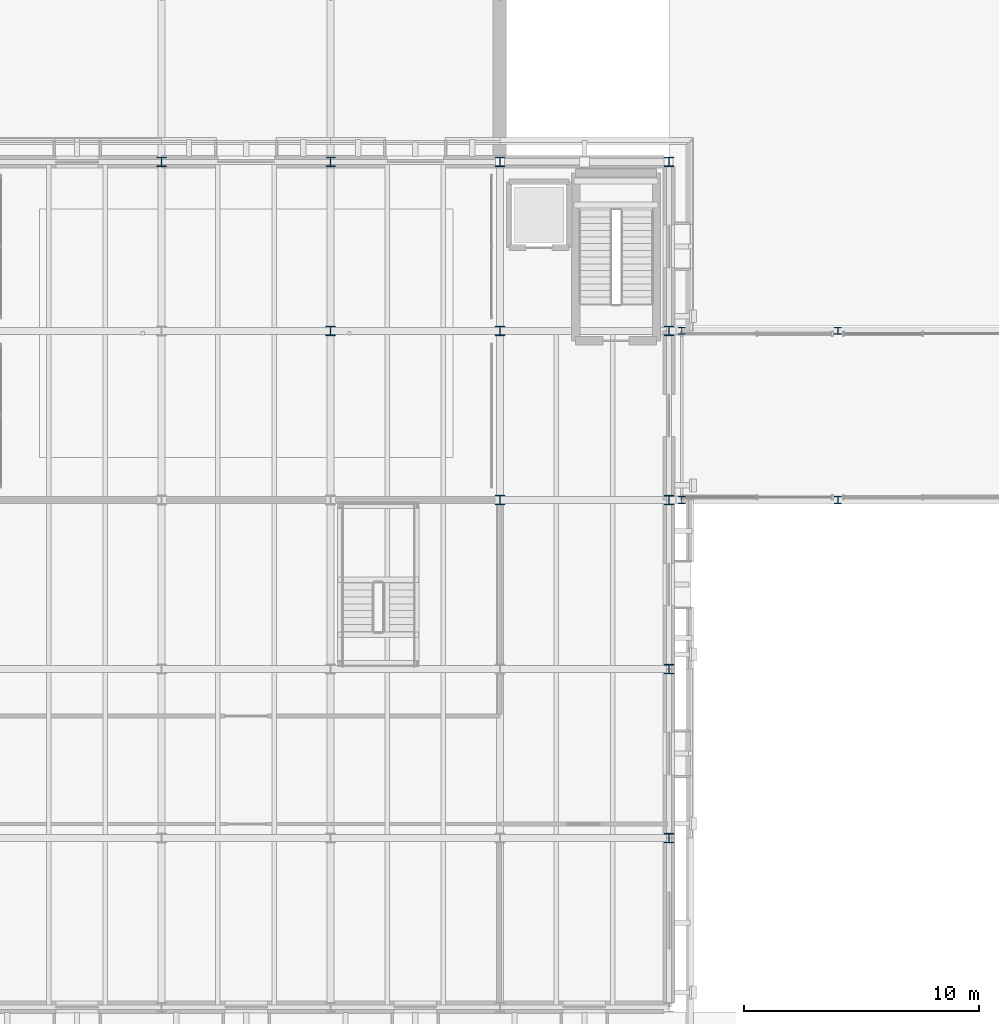
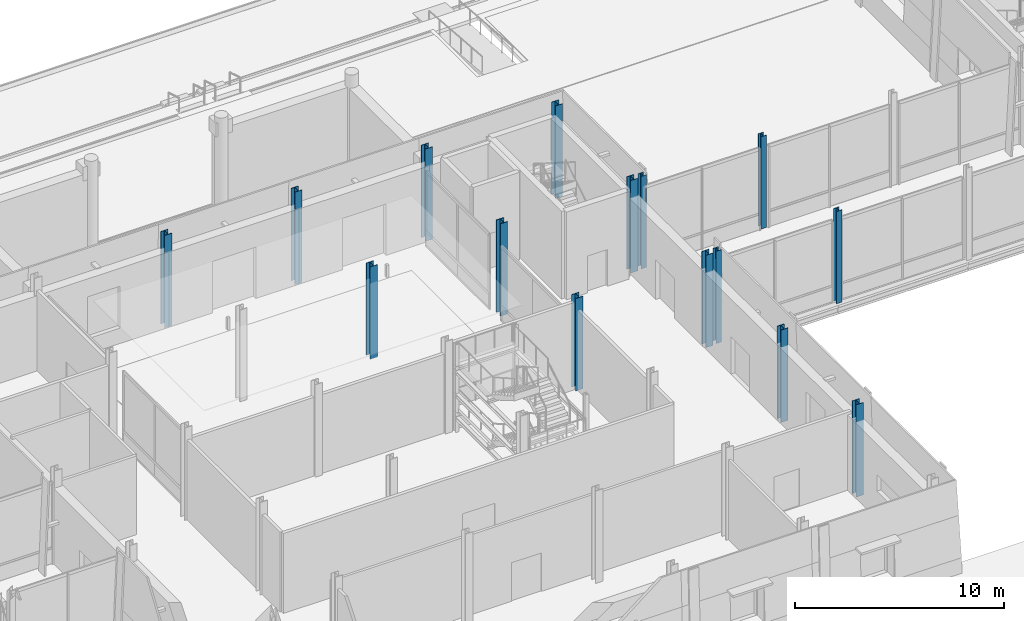
# One storey, part 14 of 120: 15 columns.
"""IFC4 building model written with IfcOpenShell, lengths in metres."""

from ifc_helpers import new_model, si_unit, direction, frame, origin, origin_2d, place, context, subcontext, project, spatial, i_section, extrude, material, material_profile, profile_set, type_object, element, save


model = new_model("IFC4")

# Units and contexts
model_context = context("Model", 3, precision=1e-05, world=origin(), true_north=direction((0.0, 1.0)))
body_context = subcontext(model_context, "Body", "Model", "MODEL_VIEW")
ifc_project = project(units=[si_unit("LENGTHUNIT", "METRE"), si_unit("AREAUNIT", "SQUARE_METRE"), si_unit("VOLUMEUNIT", "CUBIC_METRE"), si_unit("PLANEANGLEUNIT", "RADIAN"), si_unit("MASSUNIT", "GRAM", prefix="KILO")], contexts=[model_context])

# Site, building, storey
site_placement = place(None, origin())
site = spatial("IfcSite", under=ifc_project, at=site_placement, CompositionType="ELEMENT")
building_placement = place(site_placement, origin())
building = spatial("IfcBuilding", under=site, at=building_placement, Name="Narikvali Park Central Library", CompositionType="ELEMENT")
storey_placement = place(building_placement, origin())
storey = spatial("IfcBuildingStorey", under=building, at=storey_placement, Name="L00", CompositionType="ELEMENT", Elevation=0.0)

# Columns
ifc_material = material(Name="Steel S355", Category="steel")
ifc_material_profile_1 = material_profile(ifc_material, i_section(OverallWidth=0.404052734375, OverallDepth=0.406982421875, WebThickness=0.02001953125, FlangeThickness=0.031982421875, FilletRadius=0.014892578125, at=origin_2d()), Name="HD 400x347")
ifc_profile_set_1 = profile_set([ifc_material_profile_1], Name="Steel S355")
column_type_1 = type_object("IfcColumnType", Name="Rotunda Interior Column HD400x347", PredefinedType="COLUMN", material=ifc_profile_set_1)
for number, where, z_axis, x_axis, name in (
    (1, (86.39990234375, 86.39990234375, 0.0), (0.0, 0.0, 1.0), (1.0, 0.0, 0.0), "V1 L00 Column (86.4,86.4)"),
    (2, (93.60009765625, 79.199951171875, 0.0), (0.0, 0.0, 1.0), (1.0, 0.0, 0.0), "V1 L00 Column (93.6,79.2)"),
    (3, (93.60009765625, 86.39990234375, 0.0), (0.0, 0.0, 1.0), (1.0, 0.0, 0.0), "V1 L00 Column (93.6,86.4)"),
):
    element("IfcColumn", number, at=place(storey_placement, frame(where, z_axis=z_axis, x_axis=x_axis)), inside=storey, type_object=column_type_1, Name=name, PredefinedType="COLUMN", context=body_context, shape_type="SweptSolid", body=[
        extrude(i_section(OverallWidth=0.404052734375, OverallDepth=0.406982421875, WebThickness=0.02001953125, FlangeThickness=0.031982421875, FilletRadius=0.014892578125, at=origin_2d()), origin(), (0.0, 0.0, 1.0), 5.39990234375),
    ])
ifc_material_profile_2 = material_profile(ifc_material, i_section(OverallWidth=0.40087890625, OverallDepth=0.39892578125, WebThickness=0.0185546875, FlangeThickness=0.029052734375, FilletRadius=0.014892578125, at=origin_2d()), Name="HD 400x314")
ifc_profile_set_2 = profile_set([ifc_material_profile_2], Name="Steel S355")
column_type_2 = type_object("IfcColumnType", Name="Steel Column HD400x314", PredefinedType="COLUMN", material=ifc_profile_set_2)
for number, where, z_axis, x_axis, name in (
    (4, (79.199951171875, 93.60009765625, 0.0), (0.0, 0.0, 1.0), (1.0, 0.0, 0.0), "V1 L00 Column (79.2,93.6)"),
    (5, (86.39990234375, 93.60009765625, 0.0), (0.0, 0.0, 1.0), (1.0, 0.0, 0.0), "V1 L00 Column (86.4,93.6)"),
    (6, (93.60009765625, 93.60009765625, 0.0), (0.0, 0.0, 1.0), (1.0, 0.0, 0.0), "V1 L00 Column (93.6,93.6)"),
    (7, (100.800048828125, 64.800048828125, 0.0), (0.0, 0.0, 1.0), (1.0, 0.0, 0.0), "V1 L00 Column (100.8,64.8)"),
    (8, (100.800048828125, 72.0, 0.0), (0.0, 0.0, 1.0), (1.0, 0.0, 0.0), "V1 L00 Column (100.8,72.0)"),
    (9, (100.800048828125, 79.199951171875, 0.0), (0.0, 0.0, 1.0), (1.0, 0.0, 0.0), "V1 L00 Column (100.8,79.2)"),
    (10, (100.800048828125, 86.39990234375, 0.0), (0.0, 0.0, 1.0), (1.0, 0.0, 0.0), "V1 L00 Column (100.8,86.4)"),
    (11, (100.800048828125, 93.60009765625, 0.0), (0.0, 0.0, 1.0), (1.0, 0.0, 0.0), "V1 L00 Column (100.8,93.6)"),
):
    element("IfcColumn", number, at=place(storey_placement, frame(where, z_axis=z_axis, x_axis=x_axis)), inside=storey, type_object=column_type_2, Name=name, PredefinedType="COLUMN", context=body_context, shape_type="SweptSolid", body=[
        extrude(i_section(OverallWidth=0.40087890625, OverallDepth=0.39892578125, WebThickness=0.0185546875, FlangeThickness=0.029052734375, FilletRadius=0.014892578125, at=origin_2d()), origin(), (0.0, 0.0, 1.0), 5.39990234375),
    ])
ifc_material_profile_3 = material_profile(ifc_material, i_section(OverallWidth=0.300048828125, OverallDepth=0.300048828125, WebThickness=0.010986328125, FlangeThickness=0.01904296875, FilletRadius=0.027099609375, at=origin_2d()), Name="HEB 300")
ifc_profile_set_3 = profile_set([ifc_material_profile_3], Name="Steel S355")
column_type_3 = type_object("IfcColumnType", Name="Steel Column HEB300", PredefinedType="COLUMN", material=ifc_profile_set_3)
for number, where, z_axis, x_axis, name in (
    (12, (101.35009765625, 79.199951171875, 0.0), (0.0, 0.0, 1.0), (1.0, 0.0, 0.0), "BRG-3 Bridge Pier L00"),
    (13, (101.35009765625, 86.39990234375, 0.0), (0.0, 0.0, 1.0), (1.0, 0.0, 0.0), "BRG-3 Bridge Pier L00"),
    (14, (108.0, 79.199951171875, 0.0), (0.0, 0.0, 1.0), (1.0, 0.0, 0.0), "BRG-3 Bridge Pier L00"),
    (15, (108.0, 86.39990234375, 0.0), (0.0, 0.0, 1.0), (1.0, 0.0, 0.0), "BRG-3 Bridge Pier L00"),
):
    element("IfcColumn", number, at=place(storey_placement, frame(where, z_axis=z_axis, x_axis=x_axis)), inside=storey, type_object=column_type_3, Name=name, PredefinedType="COLUMN", context=body_context, shape_type="SweptSolid", body=[
        extrude(i_section(OverallWidth=0.300048828125, OverallDepth=0.300048828125, WebThickness=0.010986328125, FlangeThickness=0.01904296875, FilletRadius=0.027099609375, at=origin_2d()), origin(), (0.0, 0.0, 1.0), 5.39990234375),
    ])

save(model, "model.ifc")
